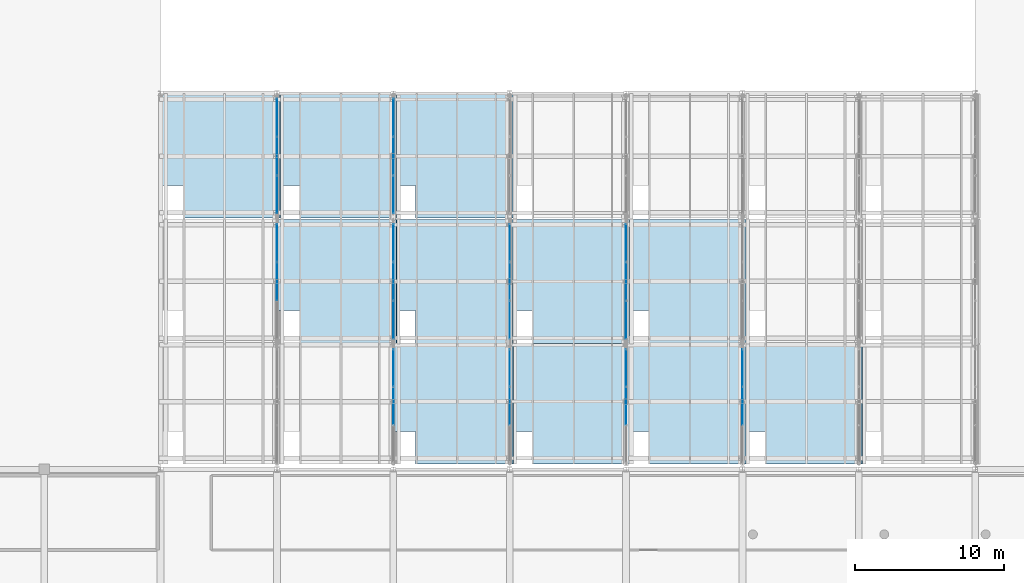
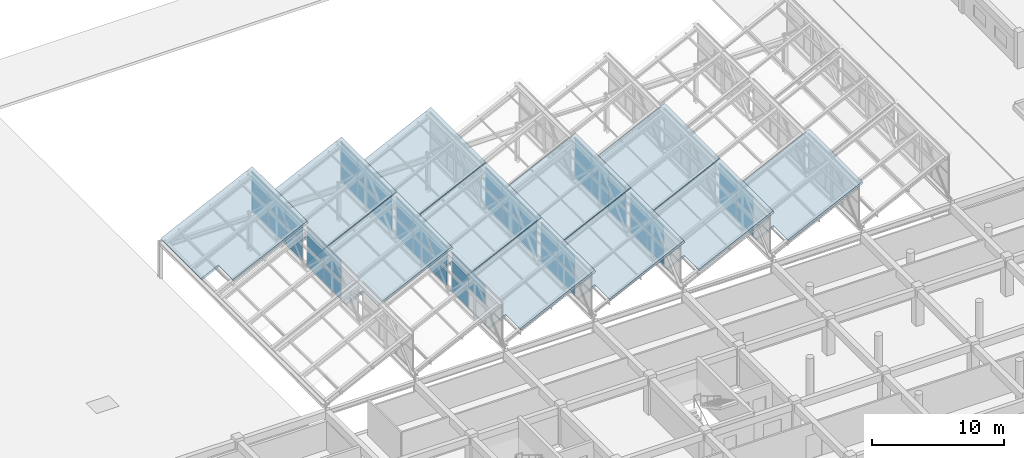
# One storey, part 76 of 101: 49 plates, 11 slabs, 10 elements without a shape of their own.
"""IFC4 building model written with IfcOpenShell, lengths in metres."""

from ifc_helpers import new_model, si_unit, direction, frame, origin, origin_2d, place, context, subcontext, project, spatial, polyline, rectangle, outline, extrude, material, layer, layer_set, type_object, element, aggregate, save


model = new_model("IFC4")

# Units and contexts
model_context = context("Model", 3, precision=1e-05, world=origin(), true_north=direction((0.0, 1.0)))
body_context = subcontext(model_context, "Body", "Model", "MODEL_VIEW")
ifc_project = project(units=[si_unit("LENGTHUNIT", "METRE"), si_unit("AREAUNIT", "SQUARE_METRE"), si_unit("VOLUMEUNIT", "CUBIC_METRE"), si_unit("PLANEANGLEUNIT", "RADIAN"), si_unit("MASSUNIT", "GRAM", prefix="KILO")], contexts=[model_context])

# Site, building, storey
site_placement = place(None, origin())
site = spatial("IfcSite", under=ifc_project, at=site_placement, CompositionType="ELEMENT")
building_placement = place(site_placement, origin())
building = spatial("IfcBuilding", under=site, at=building_placement, Name="Zizhar Promenade General Hospital", CompositionType="ELEMENT")
storey_placement = place(building_placement, frame((0.0, 0.0, 14.39990234375)))
storey = spatial("IfcBuildingStorey", under=building, at=storey_placement, Name="L03", CompositionType="ELEMENT", Elevation=14.39990234375)

# Curtain wall, plates
ifc_material_1 = material(Name="Anodised aluminium 6063-T6 and low-E glass", Category="aluminium")
ifc_layer_1 = layer(ifc_material_1, 0.159912109375)
ifc_layer_set_1 = layer_set([ifc_layer_1], Name="Anodised aluminium 6063-T6 and low-E glass")
curtain_wall_type_1 = type_object("IfcCurtainWallType", Name="CW-SAW-NL2", PredefinedType="NOTDEFINED", material=ifc_layer_set_1)
curtain_wall_1_placement = place(storey_placement, origin())
curtain_wall_1 = element("IfcCurtainWall", 1, at=curtain_wall_1_placement, inside=storey, type_object=curtain_wall_type_1, Name="Sawtooth Clerestory Light B1-S2", PredefinedType="NOTDEFINED")
ifc_material_2 = material(Name="Low-E solar-control glass", Category="glass")
ifc_layer_2 = layer(ifc_material_2, 0.028076171875)
ifc_layer_set_2 = layer_set([ifc_layer_2], Name="Low-E solar-control glass")
plate_type = type_object("IfcPlateType", Name="CWP-GLZ-28", PredefinedType="CURTAIN_PANEL", material=ifc_layer_set_2)
plate_1_placement = place(storey_placement, frame((78.0, 37.800048828125, 3.91015625), z_axis=(0.0, 0.0, 1.0), x_axis=(0.0, 1.0, 0.0)))
plate_1 = element("IfcPlate", 2, at=plate_1_placement, type_object=plate_type, Name="CW-04 panel 2.1", PredefinedType="CURTAIN_PANEL", context=body_context, shape_type="SweptSolid", body=[
    extrude(rectangle(XDim=2.5400390625, YDim=0.028076171875, at=origin_2d()), origin(), (0.0, 0.0, 1.0), 1.760009765625),
])
plate_2_placement = place(storey_placement, frame((78.0, 37.800048828125, 5.72998046875), z_axis=(0.0, 0.0, 1.0), x_axis=(0.0, 1.0, 0.0)))
plate_2 = element("IfcPlate", 3, at=plate_2_placement, type_object=plate_type, Name="CW-04 panel 2.2", PredefinedType="CURTAIN_PANEL", context=body_context, shape_type="SweptSolid", body=[
    extrude(rectangle(XDim=2.5400390625, YDim=0.028076171875, at=origin_2d()), origin(), (0.0, 0.0, 1.0), 1.760009765625),
])
plate_3_placement = place(storey_placement, frame((78.0, 40.385009765625, 3.91015625), z_axis=(0.0, 0.0, 1.0), x_axis=(0.0, 1.0, 0.0)))
plate_3 = element("IfcPlate", 4, at=plate_3_placement, type_object=plate_type, Name="CW-04 panel 3.1", PredefinedType="CURTAIN_PANEL", context=body_context, shape_type="SweptSolid", body=[
    extrude(rectangle(XDim=2.510009765625, YDim=0.028076171875, at=origin_2d()), origin(), (0.0, 0.0, 1.0), 1.760009765625),
])
plate_4_placement = place(storey_placement, frame((78.0, 40.385009765625, 5.72998046875), z_axis=(0.0, 0.0, 1.0), x_axis=(0.0, 1.0, 0.0)))
plate_4 = element("IfcPlate", 5, at=plate_4_placement, type_object=plate_type, Name="CW-04 panel 3.2", PredefinedType="CURTAIN_PANEL", context=body_context, shape_type="SweptSolid", body=[
    extrude(rectangle(XDim=2.510009765625, YDim=0.028076171875, at=origin_2d()), origin(), (0.0, 0.0, 1.0), 1.760009765625),
])
aggregate(curtain_wall_1, [plate_1, plate_2, plate_3, plate_4])

ifc_material_3 = material(Name="Anodised aluminium 6063-T6 and low-E glass", Category="aluminium")
ifc_layer_3 = layer(ifc_material_3, 0.159912109375)
ifc_layer_set_3 = layer_set([ifc_layer_3], Name="Anodised aluminium 6063-T6 and low-E glass")
curtain_wall_type_2 = type_object("IfcCurtainWallType", Name="CW-SAW-NL3", PredefinedType="NOTDEFINED", material=ifc_layer_set_3)
curtain_wall_2_placement = place(storey_placement, origin())
curtain_wall_2 = element("IfcCurtainWall", 6, at=curtain_wall_2_placement, inside=storey, type_object=curtain_wall_type_2, Name="Sawtooth Clerestory Light B1-S3", PredefinedType="NOTDEFINED")
plate_5_placement = place(storey_placement, frame((78.0, 43.614990234375, 3.91015625), z_axis=(0.0, 0.0, 1.0), x_axis=(0.0, 1.0, 0.0)))
plate_5 = element("IfcPlate", 7, at=plate_5_placement, type_object=plate_type, Name="CW-05 panel 1.1", PredefinedType="CURTAIN_PANEL", context=body_context, shape_type="SweptSolid", body=[
    extrude(rectangle(XDim=2.510009765625, YDim=0.028076171875, at=origin_2d()), origin(), (0.0, 0.0, 1.0), 1.760009765625),
])
plate_6_placement = place(storey_placement, frame((78.0, 43.614990234375, 5.72998046875), z_axis=(0.0, 0.0, 1.0), x_axis=(0.0, 1.0, 0.0)))
plate_6 = element("IfcPlate", 8, at=plate_6_placement, type_object=plate_type, Name="CW-05 panel 1.2", PredefinedType="CURTAIN_PANEL", context=body_context, shape_type="SweptSolid", body=[
    extrude(rectangle(XDim=2.510009765625, YDim=0.028076171875, at=origin_2d()), origin(), (0.0, 0.0, 1.0), 1.760009765625),
])
plate_7_placement = place(storey_placement, frame((78.0, 46.199951171875, 3.91015625), z_axis=(0.0, 0.0, 1.0), x_axis=(0.0, 1.0, 0.0)))
plate_7 = element("IfcPlate", 9, at=plate_7_placement, type_object=plate_type, Name="CW-05 panel 2.1", PredefinedType="CURTAIN_PANEL", context=body_context, shape_type="SweptSolid", body=[
    extrude(rectangle(XDim=2.5400390625, YDim=0.028076171875, at=origin_2d()), origin(), (0.0, 0.0, 1.0), 1.760009765625),
])
plate_8_placement = place(storey_placement, frame((78.0, 46.199951171875, 5.72998046875), z_axis=(0.0, 0.0, 1.0), x_axis=(0.0, 1.0, 0.0)))
plate_8 = element("IfcPlate", 10, at=plate_8_placement, type_object=plate_type, Name="CW-05 panel 2.2", PredefinedType="CURTAIN_PANEL", context=body_context, shape_type="SweptSolid", body=[
    extrude(rectangle(XDim=2.5400390625, YDim=0.028076171875, at=origin_2d()), origin(), (0.0, 0.0, 1.0), 1.760009765625),
])
plate_9_placement = place(storey_placement, frame((78.0, 48.784912109375, 3.91015625), z_axis=(0.0, 0.0, 1.0), x_axis=(0.0, 1.0, 0.0)))
plate_9 = element("IfcPlate", 11, at=plate_9_placement, type_object=plate_type, Name="CW-05 panel 3.1", PredefinedType="CURTAIN_PANEL", context=body_context, shape_type="SweptSolid", body=[
    extrude(rectangle(XDim=2.510009765625, YDim=0.028076171875, at=origin_2d()), origin(), (0.0, 0.0, 1.0), 1.760009765625),
])
plate_10_placement = place(storey_placement, frame((78.0, 48.784912109375, 5.72998046875), z_axis=(0.0, 0.0, 1.0), x_axis=(0.0, 1.0, 0.0)))
plate_10 = element("IfcPlate", 12, at=plate_10_placement, type_object=plate_type, Name="CW-05 panel 3.2", PredefinedType="CURTAIN_PANEL", context=body_context, shape_type="SweptSolid", body=[
    extrude(rectangle(XDim=2.510009765625, YDim=0.028076171875, at=origin_2d()), origin(), (0.0, 0.0, 1.0), 1.760009765625),
])
aggregate(curtain_wall_2, [plate_5, plate_6, plate_7, plate_8, plate_9, plate_10])

ifc_material_4 = material(Name="Anodised aluminium 6063-T6 and low-E glass", Category="aluminium")
ifc_layer_4 = layer(ifc_material_4, 0.159912109375)
ifc_layer_set_4 = layer_set([ifc_layer_4], Name="Anodised aluminium 6063-T6 and low-E glass")
curtain_wall_type_3 = type_object("IfcCurtainWallType", Name="CW-SAW-NL1", PredefinedType="NOTDEFINED", material=ifc_layer_set_4)
curtain_wall_3_placement = place(storey_placement, origin())
curtain_wall_3 = element("IfcCurtainWall", 13, at=curtain_wall_3_placement, inside=storey, type_object=curtain_wall_type_3, Name="Sawtooth Clerestory Light B2-S1", PredefinedType="NOTDEFINED")
plate_11_placement = place(storey_placement, frame((85.800048828125, 29.449951171875, 5.72998046875), z_axis=(0.0, 0.0, 1.0), x_axis=(0.0, 1.0, 0.0)))
plate_11 = element("IfcPlate", 14, at=plate_11_placement, type_object=plate_type, Name="CW-03 panel 2.2", PredefinedType="CURTAIN_PANEL", context=body_context, shape_type="SweptSolid", body=[
    extrude(rectangle(XDim=2.506591796875, YDim=0.028076171875, at=origin_2d()), origin(), (0.0, 0.0, 1.0), 1.760009765625),
])
plate_12_placement = place(storey_placement, frame((85.800048828125, 32.001708984375, 3.91015625), z_axis=(0.0, 0.0, 1.0), x_axis=(0.0, 1.0, 0.0)))
plate_12 = element("IfcPlate", 15, at=plate_12_placement, type_object=plate_type, Name="CW-03 panel 3.1", PredefinedType="CURTAIN_PANEL", context=body_context, shape_type="SweptSolid", body=[
    extrude(rectangle(XDim=2.4765625, YDim=0.028076171875, at=origin_2d()), origin(), (0.0, 0.0, 1.0), 1.760009765625),
])
plate_13_placement = place(storey_placement, frame((85.800048828125, 32.001708984375, 5.72998046875), z_axis=(0.0, 0.0, 1.0), x_axis=(0.0, 1.0, 0.0)))
plate_13 = element("IfcPlate", 16, at=plate_13_placement, type_object=plate_type, Name="CW-03 panel 3.2", PredefinedType="CURTAIN_PANEL", context=body_context, shape_type="SweptSolid", body=[
    extrude(rectangle(XDim=2.4765625, YDim=0.028076171875, at=origin_2d()), origin(), (0.0, 0.0, 1.0), 1.760009765625),
])
aggregate(curtain_wall_3, [plate_11, plate_12, plate_13])

curtain_wall_4_placement = place(storey_placement, origin())
curtain_wall_4 = element("IfcCurtainWall", 17, at=curtain_wall_4_placement, inside=storey, type_object=curtain_wall_type_1, Name="Sawtooth Clerestory Light B2-S2", PredefinedType="NOTDEFINED")
plate_14_placement = place(storey_placement, frame((85.800048828125, 35.215087890625, 3.91015625), z_axis=(0.0, 0.0, 1.0), x_axis=(0.0, 1.0, 0.0)))
plate_14 = element("IfcPlate", 18, at=plate_14_placement, type_object=plate_type, Name="CW-04 panel 1.1", PredefinedType="CURTAIN_PANEL", context=body_context, shape_type="SweptSolid", body=[
    extrude(rectangle(XDim=2.510009765625, YDim=0.028076171875, at=origin_2d()), origin(), (0.0, 0.0, 1.0), 1.760009765625),
])
plate_15_placement = place(storey_placement, frame((85.800048828125, 35.215087890625, 5.72998046875), z_axis=(0.0, 0.0, 1.0), x_axis=(0.0, 1.0, 0.0)))
plate_15 = element("IfcPlate", 19, at=plate_15_placement, type_object=plate_type, Name="CW-04 panel 1.2", PredefinedType="CURTAIN_PANEL", context=body_context, shape_type="SweptSolid", body=[
    extrude(rectangle(XDim=2.510009765625, YDim=0.028076171875, at=origin_2d()), origin(), (0.0, 0.0, 1.0), 1.760009765625),
])
plate_16_placement = place(storey_placement, frame((85.800048828125, 37.800048828125, 3.91015625), z_axis=(0.0, 0.0, 1.0), x_axis=(0.0, 1.0, 0.0)))
plate_16 = element("IfcPlate", 20, at=plate_16_placement, type_object=plate_type, Name="CW-04 panel 2.1", PredefinedType="CURTAIN_PANEL", context=body_context, shape_type="SweptSolid", body=[
    extrude(rectangle(XDim=2.5400390625, YDim=0.028076171875, at=origin_2d()), origin(), (0.0, 0.0, 1.0), 1.760009765625),
])
plate_17_placement = place(storey_placement, frame((85.800048828125, 37.800048828125, 5.72998046875), z_axis=(0.0, 0.0, 1.0), x_axis=(0.0, 1.0, 0.0)))
plate_17 = element("IfcPlate", 21, at=plate_17_placement, type_object=plate_type, Name="CW-04 panel 2.2", PredefinedType="CURTAIN_PANEL", context=body_context, shape_type="SweptSolid", body=[
    extrude(rectangle(XDim=2.5400390625, YDim=0.028076171875, at=origin_2d()), origin(), (0.0, 0.0, 1.0), 1.760009765625),
])
plate_18_placement = place(storey_placement, frame((85.800048828125, 40.385009765625, 3.91015625), z_axis=(0.0, 0.0, 1.0), x_axis=(0.0, 1.0, 0.0)))
plate_18 = element("IfcPlate", 22, at=plate_18_placement, type_object=plate_type, Name="CW-04 panel 3.1", PredefinedType="CURTAIN_PANEL", context=body_context, shape_type="SweptSolid", body=[
    extrude(rectangle(XDim=2.510009765625, YDim=0.028076171875, at=origin_2d()), origin(), (0.0, 0.0, 1.0), 1.760009765625),
])
plate_19_placement = place(storey_placement, frame((85.800048828125, 40.385009765625, 5.72998046875), z_axis=(0.0, 0.0, 1.0), x_axis=(0.0, 1.0, 0.0)))
plate_19 = element("IfcPlate", 23, at=plate_19_placement, type_object=plate_type, Name="CW-04 panel 3.2", PredefinedType="CURTAIN_PANEL", context=body_context, shape_type="SweptSolid", body=[
    extrude(rectangle(XDim=2.510009765625, YDim=0.028076171875, at=origin_2d()), origin(), (0.0, 0.0, 1.0), 1.760009765625),
])
aggregate(curtain_wall_4, [plate_14, plate_15, plate_16, plate_17, plate_18, plate_19])

curtain_wall_5_placement = place(storey_placement, origin())
curtain_wall_5 = element("IfcCurtainWall", 24, at=curtain_wall_5_placement, inside=storey, type_object=curtain_wall_type_2, Name="Sawtooth Clerestory Light B2-S3", PredefinedType="NOTDEFINED")
plate_20_placement = place(storey_placement, frame((85.800048828125, 43.614990234375, 3.91015625), z_axis=(0.0, 0.0, 1.0), x_axis=(0.0, 1.0, 0.0)))
plate_20 = element("IfcPlate", 25, at=plate_20_placement, type_object=plate_type, Name="CW-05 panel 1.1", PredefinedType="CURTAIN_PANEL", context=body_context, shape_type="SweptSolid", body=[
    extrude(rectangle(XDim=2.510009765625, YDim=0.028076171875, at=origin_2d()), origin(), (0.0, 0.0, 1.0), 1.760009765625),
])
plate_21_placement = place(storey_placement, frame((85.800048828125, 43.614990234375, 5.72998046875), z_axis=(0.0, 0.0, 1.0), x_axis=(0.0, 1.0, 0.0)))
plate_21 = element("IfcPlate", 26, at=plate_21_placement, type_object=plate_type, Name="CW-05 panel 1.2", PredefinedType="CURTAIN_PANEL", context=body_context, shape_type="SweptSolid", body=[
    extrude(rectangle(XDim=2.510009765625, YDim=0.028076171875, at=origin_2d()), origin(), (0.0, 0.0, 1.0), 1.760009765625),
])
plate_22_placement = place(storey_placement, frame((85.800048828125, 46.199951171875, 3.91015625), z_axis=(0.0, 0.0, 1.0), x_axis=(0.0, 1.0, 0.0)))
plate_22 = element("IfcPlate", 27, at=plate_22_placement, type_object=plate_type, Name="CW-05 panel 2.1", PredefinedType="CURTAIN_PANEL", context=body_context, shape_type="SweptSolid", body=[
    extrude(rectangle(XDim=2.5400390625, YDim=0.028076171875, at=origin_2d()), origin(), (0.0, 0.0, 1.0), 1.760009765625),
])
plate_23_placement = place(storey_placement, frame((85.800048828125, 46.199951171875, 5.72998046875), z_axis=(0.0, 0.0, 1.0), x_axis=(0.0, 1.0, 0.0)))
plate_23 = element("IfcPlate", 28, at=plate_23_placement, type_object=plate_type, Name="CW-05 panel 2.2", PredefinedType="CURTAIN_PANEL", context=body_context, shape_type="SweptSolid", body=[
    extrude(rectangle(XDim=2.5400390625, YDim=0.028076171875, at=origin_2d()), origin(), (0.0, 0.0, 1.0), 1.760009765625),
])
plate_24_placement = place(storey_placement, frame((85.800048828125, 48.784912109375, 3.91015625), z_axis=(0.0, 0.0, 1.0), x_axis=(0.0, 1.0, 0.0)))
plate_24 = element("IfcPlate", 29, at=plate_24_placement, type_object=plate_type, Name="CW-05 panel 3.1", PredefinedType="CURTAIN_PANEL", context=body_context, shape_type="SweptSolid", body=[
    extrude(rectangle(XDim=2.510009765625, YDim=0.028076171875, at=origin_2d()), origin(), (0.0, 0.0, 1.0), 1.760009765625),
])
plate_25_placement = place(storey_placement, frame((85.800048828125, 48.784912109375, 5.72998046875), z_axis=(0.0, 0.0, 1.0), x_axis=(0.0, 1.0, 0.0)))
plate_25 = element("IfcPlate", 30, at=plate_25_placement, type_object=plate_type, Name="CW-05 panel 3.2", PredefinedType="CURTAIN_PANEL", context=body_context, shape_type="SweptSolid", body=[
    extrude(rectangle(XDim=2.510009765625, YDim=0.028076171875, at=origin_2d()), origin(), (0.0, 0.0, 1.0), 1.760009765625),
])
aggregate(curtain_wall_5, [plate_20, plate_21, plate_22, plate_23, plate_24, plate_25])

curtain_wall_6_placement = place(storey_placement, origin())
curtain_wall_6 = element("IfcCurtainWall", 31, at=curtain_wall_6_placement, inside=storey, type_object=curtain_wall_type_3, Name="Sawtooth Clerestory Light B3-S1", PredefinedType="NOTDEFINED")
plate_26_placement = place(storey_placement, frame((93.60009765625, 29.449951171875, 3.91015625), z_axis=(0.0, 0.0, 1.0), x_axis=(0.0, 1.0, 0.0)))
plate_26 = element("IfcPlate", 32, at=plate_26_placement, type_object=plate_type, Name="CW-03 panel 2.1", PredefinedType="CURTAIN_PANEL", context=body_context, shape_type="SweptSolid", body=[
    extrude(rectangle(XDim=2.506591796875, YDim=0.028076171875, at=origin_2d()), origin(), (0.0, 0.0, 1.0), 1.760009765625),
])
plate_27_placement = place(storey_placement, frame((93.60009765625, 29.449951171875, 5.72998046875), z_axis=(0.0, 0.0, 1.0), x_axis=(0.0, 1.0, 0.0)))
plate_27 = element("IfcPlate", 33, at=plate_27_placement, type_object=plate_type, Name="CW-03 panel 2.2", PredefinedType="CURTAIN_PANEL", context=body_context, shape_type="SweptSolid", body=[
    extrude(rectangle(XDim=2.506591796875, YDim=0.028076171875, at=origin_2d()), origin(), (0.0, 0.0, 1.0), 1.760009765625),
])
plate_28_placement = place(storey_placement, frame((93.60009765625, 32.001708984375, 3.91015625), z_axis=(0.0, 0.0, 1.0), x_axis=(0.0, 1.0, 0.0)))
plate_28 = element("IfcPlate", 34, at=plate_28_placement, type_object=plate_type, Name="CW-03 panel 3.1", PredefinedType="CURTAIN_PANEL", context=body_context, shape_type="SweptSolid", body=[
    extrude(rectangle(XDim=2.4765625, YDim=0.028076171875, at=origin_2d()), origin(), (0.0, 0.0, 1.0), 1.760009765625),
])
plate_29_placement = place(storey_placement, frame((93.60009765625, 32.001708984375, 5.72998046875), z_axis=(0.0, 0.0, 1.0), x_axis=(0.0, 1.0, 0.0)))
plate_29 = element("IfcPlate", 35, at=plate_29_placement, type_object=plate_type, Name="CW-03 panel 3.2", PredefinedType="CURTAIN_PANEL", context=body_context, shape_type="SweptSolid", body=[
    extrude(rectangle(XDim=2.4765625, YDim=0.028076171875, at=origin_2d()), origin(), (0.0, 0.0, 1.0), 1.760009765625),
])
aggregate(curtain_wall_6, [plate_26, plate_27, plate_28, plate_29])

curtain_wall_7_placement = place(storey_placement, origin())
curtain_wall_7 = element("IfcCurtainWall", 36, at=curtain_wall_7_placement, inside=storey, type_object=curtain_wall_type_1, Name="Sawtooth Clerestory Light B3-S2", PredefinedType="NOTDEFINED")
plate_30_placement = place(storey_placement, frame((93.60009765625, 35.215087890625, 3.91015625), z_axis=(0.0, 0.0, 1.0), x_axis=(0.0, 1.0, 0.0)))
plate_30 = element("IfcPlate", 37, at=plate_30_placement, type_object=plate_type, Name="CW-04 panel 1.1", PredefinedType="CURTAIN_PANEL", context=body_context, shape_type="SweptSolid", body=[
    extrude(rectangle(XDim=2.510009765625, YDim=0.028076171875, at=origin_2d()), origin(), (0.0, 0.0, 1.0), 1.760009765625),
])
plate_31_placement = place(storey_placement, frame((93.60009765625, 35.215087890625, 5.72998046875), z_axis=(0.0, 0.0, 1.0), x_axis=(0.0, 1.0, 0.0)))
plate_31 = element("IfcPlate", 38, at=plate_31_placement, type_object=plate_type, Name="CW-04 panel 1.2", PredefinedType="CURTAIN_PANEL", context=body_context, shape_type="SweptSolid", body=[
    extrude(rectangle(XDim=2.510009765625, YDim=0.028076171875, at=origin_2d()), origin(), (0.0, 0.0, 1.0), 1.760009765625),
])
plate_32_placement = place(storey_placement, frame((93.60009765625, 37.800048828125, 3.91015625), z_axis=(0.0, 0.0, 1.0), x_axis=(0.0, 1.0, 0.0)))
plate_32 = element("IfcPlate", 39, at=plate_32_placement, type_object=plate_type, Name="CW-04 panel 2.1", PredefinedType="CURTAIN_PANEL", context=body_context, shape_type="SweptSolid", body=[
    extrude(rectangle(XDim=2.5400390625, YDim=0.028076171875, at=origin_2d()), origin(), (0.0, 0.0, 1.0), 1.760009765625),
])
plate_33_placement = place(storey_placement, frame((93.60009765625, 37.800048828125, 5.72998046875), z_axis=(0.0, 0.0, 1.0), x_axis=(0.0, 1.0, 0.0)))
plate_33 = element("IfcPlate", 40, at=plate_33_placement, type_object=plate_type, Name="CW-04 panel 2.2", PredefinedType="CURTAIN_PANEL", context=body_context, shape_type="SweptSolid", body=[
    extrude(rectangle(XDim=2.5400390625, YDim=0.028076171875, at=origin_2d()), origin(), (0.0, 0.0, 1.0), 1.760009765625),
])
plate_34_placement = place(storey_placement, frame((93.60009765625, 40.385009765625, 3.91015625), z_axis=(0.0, 0.0, 1.0), x_axis=(0.0, 1.0, 0.0)))
plate_34 = element("IfcPlate", 41, at=plate_34_placement, type_object=plate_type, Name="CW-04 panel 3.1", PredefinedType="CURTAIN_PANEL", context=body_context, shape_type="SweptSolid", body=[
    extrude(rectangle(XDim=2.510009765625, YDim=0.028076171875, at=origin_2d()), origin(), (0.0, 0.0, 1.0), 1.760009765625),
])
plate_35_placement = place(storey_placement, frame((93.60009765625, 40.385009765625, 5.72998046875), z_axis=(0.0, 0.0, 1.0), x_axis=(0.0, 1.0, 0.0)))
plate_35 = element("IfcPlate", 42, at=plate_35_placement, type_object=plate_type, Name="CW-04 panel 3.2", PredefinedType="CURTAIN_PANEL", context=body_context, shape_type="SweptSolid", body=[
    extrude(rectangle(XDim=2.510009765625, YDim=0.028076171875, at=origin_2d()), origin(), (0.0, 0.0, 1.0), 1.760009765625),
])
aggregate(curtain_wall_7, [plate_30, plate_31, plate_32, plate_33, plate_34, plate_35])

curtain_wall_8_placement = place(storey_placement, origin())
curtain_wall_8 = element("IfcCurtainWall", 43, at=curtain_wall_8_placement, inside=storey, type_object=curtain_wall_type_3, Name="Sawtooth Clerestory Light B4-S1", PredefinedType="NOTDEFINED")
plate_36_placement = place(storey_placement, frame((101.39990234375, 29.449951171875, 3.91015625), z_axis=(0.0, 0.0, 1.0), x_axis=(0.0, 1.0, 0.0)))
plate_36 = element("IfcPlate", 44, at=plate_36_placement, type_object=plate_type, Name="CW-03 panel 2.1", PredefinedType="CURTAIN_PANEL", context=body_context, shape_type="SweptSolid", body=[
    extrude(rectangle(XDim=2.506591796875, YDim=0.028076171875, at=origin_2d()), origin(), (0.0, 0.0, 1.0), 1.760009765625),
])
plate_37_placement = place(storey_placement, frame((101.39990234375, 29.449951171875, 5.72998046875), z_axis=(0.0, 0.0, 1.0), x_axis=(0.0, 1.0, 0.0)))
plate_37 = element("IfcPlate", 45, at=plate_37_placement, type_object=plate_type, Name="CW-03 panel 2.2", PredefinedType="CURTAIN_PANEL", context=body_context, shape_type="SweptSolid", body=[
    extrude(rectangle(XDim=2.506591796875, YDim=0.028076171875, at=origin_2d()), origin(), (0.0, 0.0, 1.0), 1.760009765625),
])
plate_38_placement = place(storey_placement, frame((101.39990234375, 32.001708984375, 3.91015625), z_axis=(0.0, 0.0, 1.0), x_axis=(0.0, 1.0, 0.0)))
plate_38 = element("IfcPlate", 46, at=plate_38_placement, type_object=plate_type, Name="CW-03 panel 3.1", PredefinedType="CURTAIN_PANEL", context=body_context, shape_type="SweptSolid", body=[
    extrude(rectangle(XDim=2.4765625, YDim=0.028076171875, at=origin_2d()), origin(), (0.0, 0.0, 1.0), 1.760009765625),
])
plate_39_placement = place(storey_placement, frame((101.39990234375, 32.001708984375, 5.72998046875), z_axis=(0.0, 0.0, 1.0), x_axis=(0.0, 1.0, 0.0)))
plate_39 = element("IfcPlate", 47, at=plate_39_placement, type_object=plate_type, Name="CW-03 panel 3.2", PredefinedType="CURTAIN_PANEL", context=body_context, shape_type="SweptSolid", body=[
    extrude(rectangle(XDim=2.4765625, YDim=0.028076171875, at=origin_2d()), origin(), (0.0, 0.0, 1.0), 1.760009765625),
])
aggregate(curtain_wall_8, [plate_36, plate_37, plate_38, plate_39])

curtain_wall_9_placement = place(storey_placement, origin())
curtain_wall_9 = element("IfcCurtainWall", 48, at=curtain_wall_9_placement, inside=storey, type_object=curtain_wall_type_1, Name="Sawtooth Clerestory Light B4-S2", PredefinedType="NOTDEFINED")
plate_40_placement = place(storey_placement, frame((101.39990234375, 35.215087890625, 3.91015625), z_axis=(0.0, 0.0, 1.0), x_axis=(0.0, 1.0, 0.0)))
plate_40 = element("IfcPlate", 49, at=plate_40_placement, type_object=plate_type, Name="CW-04 panel 1.1", PredefinedType="CURTAIN_PANEL", context=body_context, shape_type="SweptSolid", body=[
    extrude(rectangle(XDim=2.510009765625, YDim=0.028076171875, at=origin_2d()), origin(), (0.0, 0.0, 1.0), 1.760009765625),
])
plate_41_placement = place(storey_placement, frame((101.39990234375, 35.215087890625, 5.72998046875), z_axis=(0.0, 0.0, 1.0), x_axis=(0.0, 1.0, 0.0)))
plate_41 = element("IfcPlate", 50, at=plate_41_placement, type_object=plate_type, Name="CW-04 panel 1.2", PredefinedType="CURTAIN_PANEL", context=body_context, shape_type="SweptSolid", body=[
    extrude(rectangle(XDim=2.510009765625, YDim=0.028076171875, at=origin_2d()), origin(), (0.0, 0.0, 1.0), 1.760009765625),
])
plate_42_placement = place(storey_placement, frame((101.39990234375, 37.800048828125, 3.91015625), z_axis=(0.0, 0.0, 1.0), x_axis=(0.0, 1.0, 0.0)))
plate_42 = element("IfcPlate", 51, at=plate_42_placement, type_object=plate_type, Name="CW-04 panel 2.1", PredefinedType="CURTAIN_PANEL", context=body_context, shape_type="SweptSolid", body=[
    extrude(rectangle(XDim=2.5400390625, YDim=0.028076171875, at=origin_2d()), origin(), (0.0, 0.0, 1.0), 1.760009765625),
])
plate_43_placement = place(storey_placement, frame((101.39990234375, 37.800048828125, 5.72998046875), z_axis=(0.0, 0.0, 1.0), x_axis=(0.0, 1.0, 0.0)))
plate_43 = element("IfcPlate", 52, at=plate_43_placement, type_object=plate_type, Name="CW-04 panel 2.2", PredefinedType="CURTAIN_PANEL", context=body_context, shape_type="SweptSolid", body=[
    extrude(rectangle(XDim=2.5400390625, YDim=0.028076171875, at=origin_2d()), origin(), (0.0, 0.0, 1.0), 1.760009765625),
])
plate_44_placement = place(storey_placement, frame((101.39990234375, 40.385009765625, 3.91015625), z_axis=(0.0, 0.0, 1.0), x_axis=(0.0, 1.0, 0.0)))
plate_44 = element("IfcPlate", 53, at=plate_44_placement, type_object=plate_type, Name="CW-04 panel 3.1", PredefinedType="CURTAIN_PANEL", context=body_context, shape_type="SweptSolid", body=[
    extrude(rectangle(XDim=2.510009765625, YDim=0.028076171875, at=origin_2d()), origin(), (0.0, 0.0, 1.0), 1.760009765625),
])
plate_45_placement = place(storey_placement, frame((101.39990234375, 40.385009765625, 5.72998046875), z_axis=(0.0, 0.0, 1.0), x_axis=(0.0, 1.0, 0.0)))
plate_45 = element("IfcPlate", 54, at=plate_45_placement, type_object=plate_type, Name="CW-04 panel 3.2", PredefinedType="CURTAIN_PANEL", context=body_context, shape_type="SweptSolid", body=[
    extrude(rectangle(XDim=2.510009765625, YDim=0.028076171875, at=origin_2d()), origin(), (0.0, 0.0, 1.0), 1.760009765625),
])
aggregate(curtain_wall_9, [plate_40, plate_41, plate_42, plate_43, plate_44, plate_45])

curtain_wall_10_placement = place(storey_placement, origin())
curtain_wall_10 = element("IfcCurtainWall", 55, at=curtain_wall_10_placement, inside=storey, type_object=curtain_wall_type_3, Name="Sawtooth Clerestory Light B5-S1", PredefinedType="NOTDEFINED")
plate_46_placement = place(storey_placement, frame((109.199951171875, 29.449951171875, 3.91015625), z_axis=(0.0, 0.0, 1.0), x_axis=(0.0, 1.0, 0.0)))
plate_46 = element("IfcPlate", 56, at=plate_46_placement, type_object=plate_type, Name="CW-03 panel 2.1", PredefinedType="CURTAIN_PANEL", context=body_context, shape_type="SweptSolid", body=[
    extrude(rectangle(XDim=2.506591796875, YDim=0.028076171875, at=origin_2d()), origin(), (0.0, 0.0, 1.0), 1.760009765625),
])
plate_47_placement = place(storey_placement, frame((109.199951171875, 29.449951171875, 5.72998046875), z_axis=(0.0, 0.0, 1.0), x_axis=(0.0, 1.0, 0.0)))
plate_47 = element("IfcPlate", 57, at=plate_47_placement, type_object=plate_type, Name="CW-03 panel 2.2", PredefinedType="CURTAIN_PANEL", context=body_context, shape_type="SweptSolid", body=[
    extrude(rectangle(XDim=2.506591796875, YDim=0.028076171875, at=origin_2d()), origin(), (0.0, 0.0, 1.0), 1.760009765625),
])
plate_48_placement = place(storey_placement, frame((109.199951171875, 32.001708984375, 3.91015625), z_axis=(0.0, 0.0, 1.0), x_axis=(0.0, 1.0, 0.0)))
plate_48 = element("IfcPlate", 58, at=plate_48_placement, type_object=plate_type, Name="CW-03 panel 3.1", PredefinedType="CURTAIN_PANEL", context=body_context, shape_type="SweptSolid", body=[
    extrude(rectangle(XDim=2.4765625, YDim=0.028076171875, at=origin_2d()), origin(), (0.0, 0.0, 1.0), 1.760009765625),
])
plate_49_placement = place(storey_placement, frame((109.199951171875, 32.001708984375, 5.72998046875), z_axis=(0.0, 0.0, 1.0), x_axis=(0.0, 1.0, 0.0)))
plate_49 = element("IfcPlate", 59, at=plate_49_placement, type_object=plate_type, Name="CW-03 panel 3.2", PredefinedType="CURTAIN_PANEL", context=body_context, shape_type="SweptSolid", body=[
    extrude(rectangle(XDim=2.4765625, YDim=0.028076171875, at=origin_2d()), origin(), (0.0, 0.0, 1.0), 1.760009765625),
])
aggregate(curtain_wall_10, [plate_46, plate_47, plate_48, plate_49])

# Slabs
ifc_material_5 = material(Name="Concrete C35/45", Category="concrete")
ifc_layer_5 = layer(ifc_material_5, 0.199951171875)
ifc_layer_set_5 = layer_set([ifc_layer_5], Name="Concrete C35/45")
slab_type = type_object("IfcSlabType", Name="SLB-SAW-200", PredefinedType="ROOF", material=ifc_layer_set_5)
slab_1_placement = place(storey_placement, frame((71.699951171875, 42.0400390625, 4.5703125), z_axis=(-0.432772536382, 7.040005e-06, 0.901503151244), x_axis=(0.901503151267, 8.4e-11, 0.432772536393)))
element("IfcSlab", 60, at=slab_1_placement, inside=storey, type_object=slab_type, Name="Main Hall Sawtooth Roof Slope B1-S3", PredefinedType="ROOF", context=body_context, shape_type="SweptSolid", body=[
    extrude(outline(polyline([(0.0, 0.0), (7.232345477121436, 0.0), (7.232345477819321, 8.320068359168822), (-1.6639439308798905, 8.320068360133106), (-1.6639439313932436, 2.199951172784767), (1.8453107237072054e-10, 2.199951171820483), (0.0, 0.0)])), origin(), (0.0, 0.0, -1.0), 0.199951171875),
])
slab_2_placement = place(storey_placement, frame((79.5, 33.639892578125, 4.5703125), z_axis=(-0.432772536016, 7.040045e-06, 0.90150315142), x_axis=(0.901503151443, 8.4e-11, 0.432772536027)))
element("IfcSlab", 61, at=slab_2_placement, inside=storey, type_object=slab_type, Name="Main Hall Sawtooth Roof Slope B2-S2", PredefinedType="ROOF", context=body_context, shape_type="SweptSolid", body=[
    extrude(outline(polyline([(0.0, 0.0), (7.232345477121471, 0.0), (7.232345477819335, 8.320068359168818), (-1.6639439308798627, 8.320068360133108), (-1.6639439313931805, 2.200195313409766), (1.845463198599269e-10, 2.2001953124454765), (0.0, 0.0)])), origin(), (0.0, 0.0, -1.0), 0.199951171875),
])
slab_3_placement = place(storey_placement, frame((79.5, 42.0400390625, 4.5703125), z_axis=(-0.432772536382, 7.040005e-06, 0.901503151244), x_axis=(0.901503151267, 8.4e-11, 0.432772536393)))
element("IfcSlab", 62, at=slab_3_placement, inside=storey, type_object=slab_type, Name="Main Hall Sawtooth Roof Slope B2-S3", PredefinedType="ROOF", context=body_context, shape_type="SweptSolid", body=[
    extrude(outline(polyline([(0.0, 0.0), (7.232345477121436, 0.0), (7.232345477819321, 8.320068359168822), (-1.6639439308798905, 8.320068360133106), (-1.6639439313932436, 2.199951172784767), (1.8453107237072054e-10, 2.199951171820483), (0.0, 0.0)])), origin(), (0.0, 0.0, -1.0), 0.199951171875),
])
slab_4_placement = place(storey_placement, frame((87.300048828125, 25.550048828125, 4.5703125), z_axis=(-0.432772408299, 7.327272e-06, 0.901503212729), x_axis=(0.901503212753, 8.6e-11, 0.432772408311)))
element("IfcSlab", 63, at=slab_4_placement, inside=storey, type_object=slab_type, Name="Main Hall Sawtooth Roof Slope B3-S1", PredefinedType="ROOF", context=body_context, shape_type="SweptSolid", body=[
    extrude(outline(polyline([(0.0, 0.0), (7.232345477133606, 3.3881317890172014e-21), (7.232345477824559, 8.010009765409976), (-1.6639439308701602, 8.010009766413607), (-1.6639439313713433, 2.1999511728195746), (1.8977065601144122e-10, 2.1999511718159432), (0.0, 0.0)])), origin(), (0.0, 0.0, -1.0), 0.199951171875),
])
slab_5_placement = place(storey_placement, frame((87.300048828125, 33.639892578125, 4.5703125), z_axis=(-0.432772536016, 7.040045e-06, 0.90150315142), x_axis=(0.901503151443, 8.4e-11, 0.432772536027)))
element("IfcSlab", 64, at=slab_5_placement, inside=storey, type_object=slab_type, Name="Main Hall Sawtooth Roof Slope B3-S2", PredefinedType="ROOF", context=body_context, shape_type="SweptSolid", body=[
    extrude(outline(polyline([(0.0, 0.0), (7.232345477121471, 0.0), (7.232345477819335, 8.320068359168818), (-1.6639439308798627, 8.320068360133108), (-1.6639439313931805, 2.200195313409766), (1.845463198599269e-10, 2.2001953124454765), (0.0, 0.0)])), origin(), (0.0, 0.0, -1.0), 0.199951171875),
])
slab_6_placement = place(storey_placement, frame((87.300048828125, 42.0400390625, 4.5703125), z_axis=(-0.432772536382, 7.040005e-06, 0.901503151244), x_axis=(0.901503151267, 8.4e-11, 0.432772536393)))
element("IfcSlab", 65, at=slab_6_placement, inside=storey, type_object=slab_type, Name="Main Hall Sawtooth Roof Slope B3-S3", PredefinedType="ROOF", context=body_context, shape_type="SweptSolid", body=[
    extrude(outline(polyline([(0.0, 0.0), (7.232345477121436, 0.0), (7.232345477819321, 8.320068359168822), (-1.6639439308798905, 8.320068360133106), (-1.6639439313932436, 2.199951172784767), (1.8453107237072054e-10, 2.199951171820483), (0.0, 0.0)])), origin(), (0.0, 0.0, -1.0), 0.199951171875),
])
slab_7_placement = place(storey_placement, frame((95.10009765625, 25.550048828125, 4.5703125), z_axis=(-0.432772408299, 7.327272e-06, 0.901503212729), x_axis=(0.901503212753, 8.6e-11, 0.432772408311)))
element("IfcSlab", 66, at=slab_7_placement, inside=storey, type_object=slab_type, Name="Main Hall Sawtooth Roof Slope B4-S1", PredefinedType="ROOF", context=body_context, shape_type="SweptSolid", body=[
    extrude(outline(polyline([(0.0, 0.0), (7.232345477133606, 3.3881317890172014e-21), (7.232345477824559, 8.010009765409976), (-1.6639439308701602, 8.010009766413607), (-1.6639439313713433, 2.1999511728195746), (1.8977065601144122e-10, 2.1999511718159432), (0.0, 0.0)])), origin(), (0.0, 0.0, -1.0), 0.199951171875),
])
slab_8_placement = place(storey_placement, frame((95.10009765625, 33.639892578125, 4.5703125), z_axis=(-0.432772536016, 7.040045e-06, 0.90150315142), x_axis=(0.901503151443, 8.4e-11, 0.432772536027)))
element("IfcSlab", 67, at=slab_8_placement, inside=storey, type_object=slab_type, Name="Main Hall Sawtooth Roof Slope B4-S2", PredefinedType="ROOF", context=body_context, shape_type="SweptSolid", body=[
    extrude(outline(polyline([(0.0, 0.0), (7.232345477121471, 0.0), (7.232345477819335, 8.320068359168818), (-1.6639439308798627, 8.320068360133108), (-1.6639439313931805, 2.200195313409766), (1.845463198599269e-10, 2.2001953124454765), (0.0, 0.0)])), origin(), (0.0, 0.0, -1.0), 0.199951171875),
])
slab_9_placement = place(storey_placement, frame((102.89990234375, 25.550048828125, 4.5703125), z_axis=(-0.432772408299, 7.327272e-06, 0.901503212729), x_axis=(0.901503212753, 8.6e-11, 0.432772408311)))
element("IfcSlab", 68, at=slab_9_placement, inside=storey, type_object=slab_type, Name="Main Hall Sawtooth Roof Slope B5-S1", PredefinedType="ROOF", context=body_context, shape_type="SweptSolid", body=[
    extrude(outline(polyline([(0.0, 0.0), (7.232345477133606, 3.3881317890172014e-21), (7.232345477824559, 8.010009765409976), (-1.6639439308701602, 8.010009766413607), (-1.6639439313713433, 2.1999511728195746), (1.8977065601144122e-10, 2.1999511718159432), (0.0, 0.0)])), origin(), (0.0, 0.0, -1.0), 0.199951171875),
])
slab_10_placement = place(storey_placement, frame((102.89990234375, 33.639892578125, 4.5703125), z_axis=(-0.432772536016, 7.040045e-06, 0.90150315142), x_axis=(0.901503151443, 8.4e-11, 0.432772536027)))
element("IfcSlab", 69, at=slab_10_placement, inside=storey, type_object=slab_type, Name="Main Hall Sawtooth Roof Slope B5-S2", PredefinedType="ROOF", context=body_context, shape_type="SweptSolid", body=[
    extrude(outline(polyline([(0.0, 0.0), (7.232345477121471, 0.0), (7.232345477819335, 8.320068359168818), (-1.6639439308798627, 8.320068360133108), (-1.6639439313931805, 2.200195313409766), (1.845463198599269e-10, 2.2001953124454765), (0.0, 0.0)])), origin(), (0.0, 0.0, -1.0), 0.199951171875),
])
slab_11_placement = place(storey_placement, frame((110.699951171875, 25.550048828125, 4.5703125), z_axis=(-0.432772408299, 7.327272e-06, 0.901503212729), x_axis=(0.901503212753, 8.6e-11, 0.432772408311)))
element("IfcSlab", 70, at=slab_11_placement, inside=storey, type_object=slab_type, Name="Main Hall Sawtooth Roof Slope B6-S1", PredefinedType="ROOF", context=body_context, shape_type="SweptSolid", body=[
    extrude(outline(polyline([(0.0, 0.0), (7.232345477133606, 3.3881317890172014e-21), (7.232345477824559, 8.010009765409976), (-1.6639439308701602, 8.010009766413607), (-1.6639439313713433, 2.1999511728195746), (1.8977065601144122e-10, 2.1999511718159432), (0.0, 0.0)])), origin(), (0.0, 0.0, -1.0), 0.199951171875),
])

save(model, "model.ifc")
